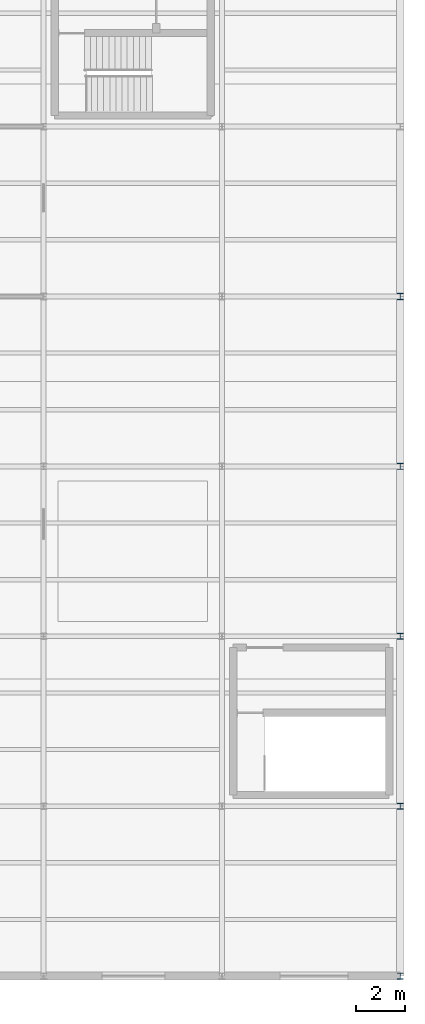
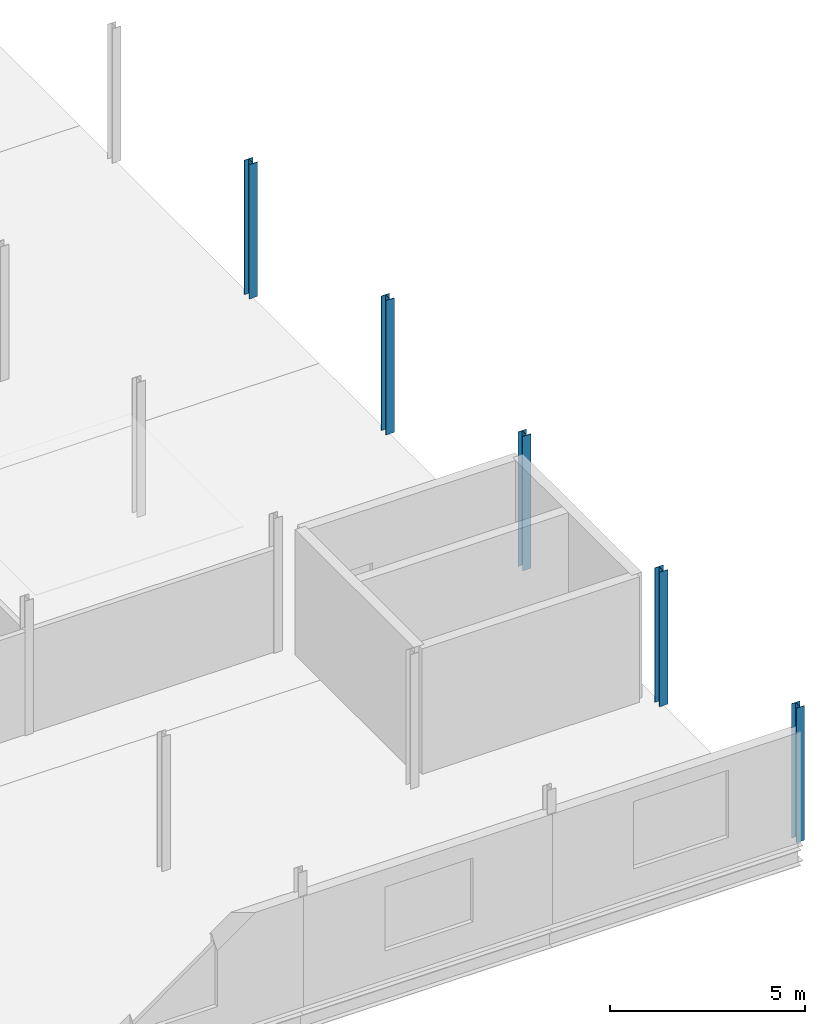
# One storey, part 3 of 9: 5 columns.
"""IFC4 building model written with IfcOpenShell, lengths in metres."""

import ifcopenshell
import ifcopenshell.guid

model = None  # the IFC model being written
_history = None  # IfcOwnerHistory: only IFC2X3 demands one
_inside = {}  # id of a spatial element -> (the spatial element, [elements in it])
_under = {}  # id of a project, library or spatial element -> (it, [spatial elements below it])
_declared = {}  # id of a project -> (the project, [libraries it declares])
_typed = {}  # id of a type object -> (the type object, [elements of that type])
_made_of = {}  # id of a material, layer set ... -> (it, [elements and type objects made of it])


def new_model(schema):
    """Start an empty IFC model of exactly this schema.

    Asked for "IFC4X3", IfcOpenShell would pick the latest addendum, in which some entities
    have other attributes; the version numbers below select the first issue.
    IFC2X3 requires an IfcOwnerHistory on every rooted entity: one is made here for all.
    """
    global model, _history
    if schema == "IFC4X3":
        model = ifcopenshell.file(schema_version=(4, 3, 0, 0))
    else:
        model = ifcopenshell.file(schema=schema)
    _inside.clear()
    _under.clear()
    _declared.clear()
    _typed.clear()
    _made_of.clear()
    _history = None
    if model.schema == "IFC2X3":
        org = make("IfcOrganization", Name="unknown")
        user = make(
            "IfcPersonAndOrganization",
            ThePerson=make("IfcPerson", FamilyName="unknown"),
            TheOrganization=org,
        )
        app = make(
            "IfcApplication",
            ApplicationDeveloper=org,
            Version="unknown",
            ApplicationFullName="unknown",
            ApplicationIdentifier="unknown",
        )
        _history = make(
            "IfcOwnerHistory",
            OwningUser=user,
            OwningApplication=app,
            ChangeAction="ADDED",
            CreationDate=0,
        )
    return model


def make(cls, **values):
    """One entity of the class cls with the attributes given. An attribute that is None is left unset."""
    return model.create_entity(
        cls, **{name: value for name, value in values.items() if value is not None}
    )


def rooted(cls, **values):
    """An entity with a GlobalId (a new one), such as an element, a storey or a relation."""
    return make(cls, GlobalId=ifcopenshell.guid.new(), OwnerHistory=_history, **values)


def si_unit(unit_type, name, prefix=None):
    """IfcSIUnit, for example si_unit("LENGTHUNIT", "METRE", prefix="MILLI")."""
    return make("IfcSIUnit", UnitType=unit_type, Prefix=prefix, Name=name)


def assignment(units):
    """IfcUnitAssignment: the units of a project."""
    return None if units is None else make("IfcUnitAssignment", Units=units)


def point(xyz):
    """IfcCartesianPoint."""
    return None if xyz is None else make("IfcCartesianPoint", Coordinates=xyz)


def direction(xyz):
    """IfcDirection."""
    return None if xyz is None else make("IfcDirection", DirectionRatios=xyz)


def frame(location, z_axis=None, x_axis=None):
    """IfcAxis2Placement3D, a coordinate frame: its origin and axes. An axis left out is left unset."""
    return make(
        "IfcAxis2Placement3D",
        Location=point(location),
        Axis=direction(z_axis),
        RefDirection=direction(x_axis),
    )


def frame_2d(location, x_axis=None):
    """IfcAxis2Placement2D, a coordinate frame in the plane: its origin and x axis."""
    return make(
        "IfcAxis2Placement2D", Location=point(location), RefDirection=direction(x_axis)
    )


def origin():
    """The frame at (0, 0, 0) with its axes left unset."""
    return frame((0.0, 0.0, 0.0))


def origin_2d():
    """The frame at (0, 0) in the plane with its x axis left unset."""
    return frame_2d((0.0, 0.0))


def place(relative_to, where):
    """IfcLocalPlacement: puts the frame where relative to a parent placement (None: the world)."""
    return make(
        "IfcLocalPlacement", PlacementRelTo=relative_to, RelativePlacement=where
    )


def context(
    kind, dimensions, precision=None, world=None, true_north=None, identifier=None
):
    """IfcGeometricRepresentationContext, for example the 3D "Model" context."""
    return make(
        "IfcGeometricRepresentationContext",
        ContextIdentifier=identifier,
        ContextType=kind,
        CoordinateSpaceDimension=dimensions,
        Precision=precision,
        WorldCoordinateSystem=world,
        TrueNorth=true_north,
    )


def subcontext(parent, identifier, kind, view, scale=None):
    """IfcGeometricRepresentationSubContext, for example "Body" below "Model"."""
    return make(
        "IfcGeometricRepresentationSubContext",
        ContextIdentifier=identifier,
        ContextType=kind,
        ParentContext=parent,
        TargetScale=scale,
        TargetView=view,
    )


def project(units=None, contexts=None):
    """IfcProject with its units and contexts."""
    return rooted(
        "IfcProject",
        Name="project",
        RepresentationContexts=contexts,
        UnitsInContext=assignment(units),
    )


def spatial(cls, under=None, at=None, **own):
    """A site, building, storey or space (cls), placed at a placement, below another one or the project."""
    s = rooted(cls, ObjectPlacement=at, **own)
    if under is not None:
        _under.setdefault(under.id(), (under, []))[1].append(s)
    return s


def profile(cls, at=None, kind="AREA", **sizes):
    """A parametric profile (cls). Its sizes go by their IFC names, for example OverallWidth=200.0."""
    return make(cls, ProfileType=kind, Position=at, **sizes)


def i_section(**sizes):
    """IfcIShapeProfileDef."""
    return profile("IfcIShapeProfileDef", **sizes)


def extrude(swept, where, along, depth):
    """IfcExtrudedAreaSolid: the profile swept, set in the frame where, extruded along a direction by depth."""
    return make(
        "IfcExtrudedAreaSolid",
        SweptArea=swept,
        Position=where,
        ExtrudedDirection=direction(along),
        Depth=depth,
    )


def shape(context_of_items, identifier, shape_type, items):
    """IfcShapeRepresentation: the items that make up one representation, for example the "Body"."""
    return make(
        "IfcShapeRepresentation",
        ContextOfItems=context_of_items,
        RepresentationIdentifier=identifier,
        RepresentationType=shape_type,
        Items=items,
    )


def material(Name=None, Category=None):
    """IfcMaterial."""
    return make("IfcMaterial", Name=Name, Category=Category)


def material_profile(
    of_material, cross_section, Name=None, Category=None, Priority=None
):
    """IfcMaterialProfile: a cross section and its material."""
    return make(
        "IfcMaterialProfile",
        Name=Name,
        Material=of_material,
        Profile=cross_section,
        Priority=Priority,
        Category=Category,
    )


def profile_set(profiles, Name=None, composite=None):
    """IfcMaterialProfileSet."""
    return make(
        "IfcMaterialProfileSet",
        Name=Name,
        MaterialProfiles=profiles,
        CompositeProfile=composite,
    )


def made_of(thing, what):
    """Note that an element or type object is made of a material, layer set ...; save() writes the relation."""
    if what is not None:
        _made_of.setdefault(what.id(), (what, []))[1].append(thing)
    return thing


def type_object(cls, material=None, **own):
    """A type object (cls), such as IfcWallType, which elements share."""
    return made_of(rooted(cls, **own), material)


def element(
    cls,
    number,
    at=None,
    inside=None,
    cuts=None,
    type_object=None,
    material=None,
    context=None,
    identifier="Body",
    shape_type=None,
    held_by="IfcProductDefinitionShape",
    body=None,
    shapes=None,
    **own,
):
    """One element of the class cls, such as IfcWall. Its Tag is "e" and its number.

    at: its placement. inside: the storey or other place that contains it. cuts: it is an
    opening in that element (IfcRelVoidsElement). A single representation is given by context,
    identifier, shape_type and body (its items); several are given by shapes. held_by: the class
    of the entity that holds the representations. save() writes the other relations.
    """
    e = rooted(cls, Tag="e%d" % number, ObjectPlacement=at, **own)
    if body is not None:
        shapes = [shape(context, identifier, shape_type, body)]
    if shapes is not None:
        e.Representation = make(held_by, Representations=shapes)
    if inside is not None:
        _inside.setdefault(inside.id(), (inside, []))[1].append(e)
    if cuts is not None:
        rooted(
            "IfcRelVoidsElement", RelatingBuildingElement=cuts, RelatedOpeningElement=e
        )
    if type_object is not None:
        _typed.setdefault(type_object.id(), (type_object, []))[1].append(e)
    return made_of(e, material)


def aggregate(whole, parts):
    """IfcRelAggregates: a whole, such as a stair, and the parts it consists of."""
    return rooted("IfcRelAggregates", RelatingObject=whole, RelatedObjects=parts)


def save(model, path):
    """Write the relations noted so far, then the file.

    IfcRelAggregates (storeys below a building ...), IfcRelContainedInSpatialStructure (elements
    in a storey), IfcRelDefinesByType, IfcRelAssociatesMaterial and IfcRelDeclares: one each for
    every whole, place, type object, material and project.
    """
    for whole, parts in _under.values():
        aggregate(whole, parts)
    for where, things in _inside.values():
        rooted(
            "IfcRelContainedInSpatialStructure",
            RelatedElements=things,
            RelatingStructure=where,
        )
    for kind, things in _typed.values():
        rooted("IfcRelDefinesByType", RelatedObjects=things, RelatingType=kind)
    for what, things in _made_of.values():
        rooted("IfcRelAssociatesMaterial", RelatedObjects=things, RelatingMaterial=what)
    for by, libraries in _declared.values():
        rooted("IfcRelDeclares", RelatingContext=by, RelatedDefinitions=libraries)
    model.write(path)


model = new_model("IFC4")

# Units and contexts
model_context = context("Model", 3, precision=1e-05, world=origin(), true_north=direction((0.0, 1.0)))
body_context = subcontext(model_context, "Body", "Model", "MODEL_VIEW")
ifc_project = project(units=[si_unit("LENGTHUNIT", "METRE"), si_unit("AREAUNIT", "SQUARE_METRE"), si_unit("VOLUMEUNIT", "CUBIC_METRE"), si_unit("PLANEANGLEUNIT", "RADIAN"), si_unit("MASSUNIT", "GRAM", prefix="KILO")], contexts=[model_context])

# Site, building, storey
site_placement = place(None, origin())
site = spatial("IfcSite", under=ifc_project, at=site_placement, CompositionType="ELEMENT")
building_placement = place(site_placement, origin())
building = spatial("IfcBuilding", under=site, at=building_placement, Name="Kazenagashi Tramway Depot", CompositionType="ELEMENT")
storey_placement = place(building_placement, frame((0.0, 0.0, 15.3)))
storey = spatial("IfcBuildingStorey", under=building, at=storey_placement, Name="L04", CompositionType="ELEMENT", Elevation=15.3)

# Columns
ifc_material = material(Name="Steel SN490B", Category="steel")
ifc_material_profile = material_profile(ifc_material, i_section(OverallWidth=0.25, OverallDepth=0.25, WebThickness=0.009, FlangeThickness=0.014, at=origin_2d()), Name="H-250x250x9x14")
ifc_profile_set = profile_set([ifc_material_profile], Name="Steel SN490B")
column_type = type_object("IfcColumnType", Name="C-06", PredefinedType="COLUMN", material=ifc_profile_set)
for number, where, z_axis, x_axis, name in (
    (1, (36.75, 0.0, 0.0), (0.0, 0.0, 1.0), (1.0, 0.0, 0.0), "Column C-06 COL-0751"),
    (2, (36.75, 7.0, 0.0), (0.0, 0.0, 1.0), (1.0, 0.0, 0.0), "Column C-06 COL-0755"),
    (3, (36.75, 14.0, 0.0), (0.0, 0.0, 1.0), (1.0, 0.0, 0.0), "Column C-06 COL-0759"),
    (4, (36.75, 21.0, 0.0), (0.0, 0.0, 1.0), (1.0, 0.0, 0.0), "Column C-06 COL-0763"),
    (5, (36.75, 28.0, 0.0), (0.0, 0.0, 1.0), (1.0, 0.0, 0.0), "Column C-06 COL-0767"),
):
    element("IfcColumn", number, at=place(storey_placement, frame(where, z_axis=z_axis, x_axis=x_axis)), inside=storey, type_object=column_type, Name=name, PredefinedType="COLUMN", context=body_context, shape_type="SweptSolid", body=[
        extrude(i_section(OverallWidth=0.25, OverallDepth=0.25, WebThickness=0.009, FlangeThickness=0.014, at=origin_2d()), origin(), (0.0, 0.0, 1.0), 4.2),
    ])

save(model, "model.ifc")
